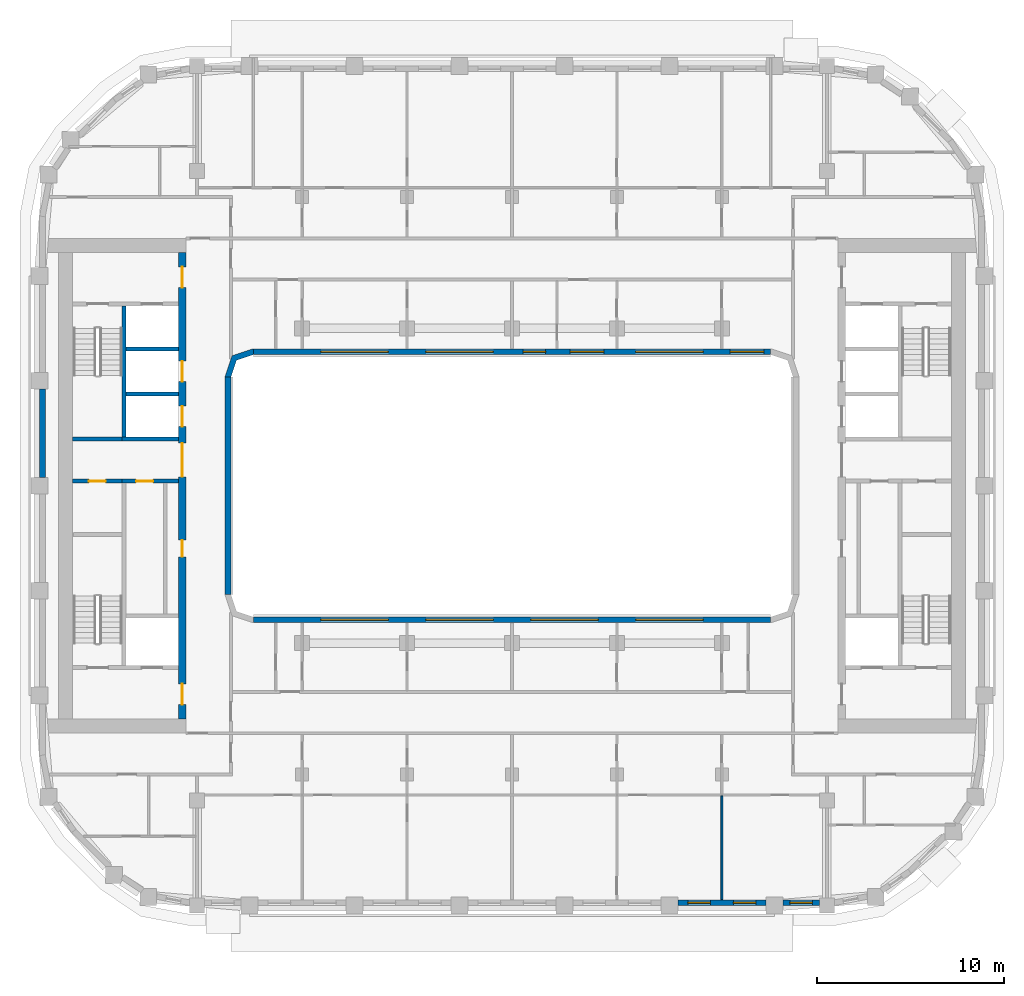
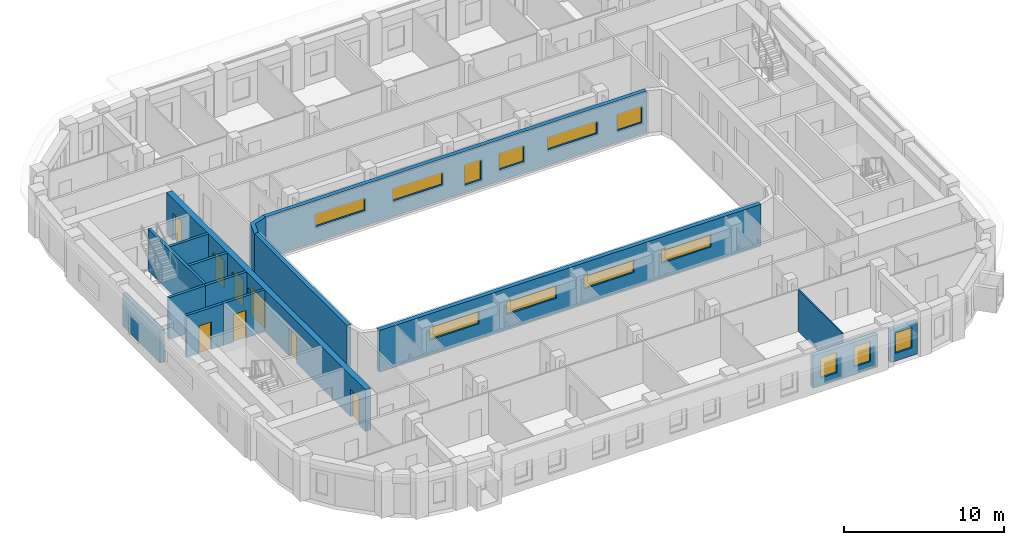
# One storey, part 4 of 21: 16 walls, 13 windows, 8 doors, 21 openings.
"""IFC4 building model written with IfcOpenShell, lengths in metres."""

from ifc_helpers import new_model, si_unit, direction, frame, frame_2d, origin, place, context, subcontext, project, spatial, polyline, rectangle, outline, extrude, material, layer, layer_set, type_object, element, fill, save


model = new_model("IFC4")

# Units and contexts
model_context = context("Model", 3, precision=1e-05, world=origin(), true_north=direction((0.0, 1.0)))
body_context = subcontext(model_context, "Body", "Model", "MODEL_VIEW")
ifc_project = project(units=[si_unit("LENGTHUNIT", "METRE"), si_unit("AREAUNIT", "SQUARE_METRE"), si_unit("VOLUMEUNIT", "CUBIC_METRE"), si_unit("PLANEANGLEUNIT", "RADIAN"), si_unit("MASSUNIT", "GRAM", prefix="KILO")], contexts=[model_context])

# Site, building, storey
site_placement = place(None, origin())
site = spatial("IfcSite", under=ifc_project, at=site_placement, CompositionType="ELEMENT")
building_placement = place(site_placement, origin())
building = spatial("IfcBuilding", under=site, at=building_placement, Name="Kiln Ring Residences", CompositionType="ELEMENT")
storey_placement = place(building_placement, frame((0.0, 0.0, 202.89990234375)))
storey = spatial("IfcBuildingStorey", under=building, at=storey_placement, Name="L52", CompositionType="ELEMENT", Elevation=202.89990234375)

# Wall, opening, door
ifc_material_1 = material(Name="Gypsum board on steel studs", Category="steel")
ifc_layer_1 = layer(ifc_material_1, 0.199951171875)
ifc_layer_set_1 = layer_set([ifc_layer_1], Name="CORE-PARTITION-200")
wall_type_1 = type_object("IfcWallType", Name="CORE-PARTITION-200", PredefinedType="PARTITIONING", material=ifc_layer_set_1)
wall_1_placement = place(storey_placement, frame((-20.800048828125, 0.25, 0.0), z_axis=(0.0, 0.0, 1.0), x_axis=(-1.0, 0.0, 0.0)))
wall_1 = element("IfcWall", 1, at=wall_1_placement, inside=storey, type_object=wall_type_1, Name="Core partition west L52 1", PredefinedType="PARTITIONING", context=body_context, shape_type="SweptSolid", body=[
    extrude(rectangle(XDim=2.64990234375, YDim=0.199951171875, at=frame_2d((1.324951171875, 0.0))), origin(), (0.0, 0.0, 1.0), 3.2001953125),
])
opening_1_placement = place(wall_1_placement, frame((0.875, 0.0, 0.0)))
opening_1 = element("IfcOpeningElement", 2, at=opening_1_placement, cuts=wall_1, Name="Opening L52-CW12", PredefinedType="OPENING", context=body_context, shape_type="SweptSolid", body=[
    extrude(rectangle(XDim=0.89990234375, YDim=2.10009765625, at=frame_2d((0.449951171875, 1.050048828125))), frame((0.0, 0.10986328125, 0.0), z_axis=(0.0, -1.0, 0.0), x_axis=(1.0, 0.0, 0.0)), (0.0, 0.0, 1.0), 0.219970703125),
])
ifc_material_2 = material(Name="Steel door leaf", Category="steel")
door_type_1 = type_object("IfcDoorType", Name="CORE-DOOR-ROOM", OperationType="SINGLE_SWING_LEFT", PredefinedType="DOOR", material=ifc_material_2)
door_1_placement = place(opening_1_placement, origin())
door_1 = element("IfcDoor", 3, at=door_1_placement, inside=storey, type_object=door_type_1, Name="Comms room L52-CW12", OperationType="SINGLE_SWING_RIGHT", OverallHeight=2.10009765625, OverallWidth=0.89990234375, PredefinedType="DOOR", context=body_context, shape_type="SweptSolid", body=[
    extrude(rectangle(XDim=0.89990234375, YDim=2.10009765625, at=frame_2d((0.449951171875, 1.050048828125))), frame((0.0, 0.02490234375, 0.0), z_axis=(0.0, -1.0, 0.0), x_axis=(1.0, 0.0, 0.0)), (0.0, 0.0, 1.0), 0.050048828125),
])
fill(opening_1, door_1)

ifc_material_3 = material(Name="Gypsum shaft wall system")
ifc_layer_2 = layer(ifc_material_3, 0.199951171875)
ifc_layer_set_2 = layer_set([ifc_layer_2], Name="CORE-SHAFT-WALL-200")
wall_type_2 = type_object("IfcWallType", Name="CORE-SHAFT-WALL-200", PredefinedType="PARTITIONING", material=ifc_layer_set_2)
wall_2_placement = place(storey_placement, frame((-17.800048828125, 0.25, 0.0), z_axis=(0.0, 0.0, 1.0), x_axis=(-1.0, 0.0, 0.0)))
wall_2 = element("IfcWall", 4, at=wall_2_placement, inside=storey, type_object=wall_type_2, Name="Core partition west L52 4", PredefinedType="PARTITIONING", context=body_context, shape_type="SweptSolid", body=[
    extrude(rectangle(XDim=3.0, YDim=0.199951171875, at=frame_2d((1.5, 0.0))), origin(), (0.0, 0.0, 1.0), 3.2001953125),
])
opening_2_placement = place(wall_2_placement, frame((1.35009765625, 0.0, 0.0)))
opening_2 = element("IfcOpeningElement", 5, at=opening_2_placement, cuts=wall_2, Name="Opening L52-CW03", PredefinedType="OPENING", context=body_context, shape_type="SweptSolid", body=[
    extrude(rectangle(XDim=0.89990234375, YDim=2.10009765625, at=frame_2d((0.449951171875, 1.050048828125))), frame((0.0, 0.10986328125, 0.0), z_axis=(0.0, -1.0, 0.0), x_axis=(1.0, 0.0, 0.0)), (0.0, 0.0, 1.0), 0.219970703125),
])
door_2_placement = place(opening_2_placement, origin())
door_2 = element("IfcDoor", 6, at=door_2_placement, inside=storey, type_object=door_type_1, Name="Service store L52-CW03", OperationType="SINGLE_SWING_LEFT", OverallHeight=2.10009765625, OverallWidth=0.89990234375, PredefinedType="DOOR", context=body_context, shape_type="SweptSolid", body=[
    extrude(rectangle(XDim=0.89990234375, YDim=2.10009765625, at=frame_2d((0.449951171875, 1.050048828125))), frame((0.0, 0.02490234375, 0.0), z_axis=(0.0, -1.0, 0.0), x_axis=(1.0, 0.0, 0.0)), (0.0, 0.0, 1.0), 0.050048828125),
])
fill(opening_2, door_2)

# Walls
wall_3_placement = place(storey_placement, frame((-17.800048828125, 2.5, 0.0), z_axis=(0.0, 0.0, 1.0), x_axis=(-1.0, 0.0, 0.0)))
element("IfcWall", 7, at=wall_3_placement, inside=storey, type_object=wall_type_2, Name="Core partition west L52 5", PredefinedType="PARTITIONING", context=body_context, shape_type="SweptSolid", body=[
    extrude(rectangle(XDim=3.0, YDim=0.199951171875, at=frame_2d((1.5, 0.0))), origin(), (0.0, 0.0, 1.0), 3.2001953125),
])
for number, where, z_axis, x_axis, name in (
    (8, (-17.800048828125, 4.89990234375, 0.0), (0.0, 0.0, 1.0), (-1.0, 0.0, 0.0), "Core partition west L52 6"),
    (9, (-17.800048828125, 7.300048828125, 0.0), (0.0, 0.0, 1.0), (-1.0, 0.0, 0.0), "Core partition west L52 7"),
):
    element("IfcWall", number, at=place(storey_placement, frame(where, z_axis=z_axis, x_axis=x_axis)), inside=storey, type_object=wall_type_2, Name=name, PredefinedType="PARTITIONING", context=body_context, shape_type="SweptSolid", body=[
        extrude(rectangle(XDim=2.800048828125, YDim=0.199951171875, at=frame_2d((1.39990234375, 0.0))), origin(), (0.0, 0.0, 1.0), 3.2001953125),
    ])
ifc_material_4 = material(Name="Concrete C40/50", Category="concrete")
ifc_layer_3 = layer(ifc_material_4, 0.199951171875)
ifc_layer_set_3 = layer_set([ifc_layer_3], Name="CORE-WALL-RC200")
wall_type_3 = type_object("IfcWallType", Name="CORE-WALL-RC200", PredefinedType="SHEAR", material=ifc_layer_set_3)
wall_4_placement = place(storey_placement, frame((-20.699951171875, 2.60009765625, 0.0), z_axis=(0.0, 0.0, 1.0), x_axis=(0.0, 1.0, 0.0)))
element("IfcWall", 10, at=wall_4_placement, inside=storey, type_object=wall_type_3, Name="Core wall west L52 1", PredefinedType="SHEAR", context=body_context, shape_type="SweptSolid", body=[
    extrude(rectangle(XDim=7.0, YDim=0.199951171875, at=frame_2d((3.5, 0.0))), origin(), (0.0, 0.0, 1.0), 3.2001953125),
])
wall_5_placement = place(storey_placement, frame((-20.800048828125, 2.5, 0.0), z_axis=(0.0, 0.0, 1.0), x_axis=(-1.0, 0.0, 0.0)))
element("IfcWall", 11, at=wall_5_placement, inside=storey, type_object=wall_type_3, Name="Core wall west L52 3", PredefinedType="SHEAR", context=body_context, shape_type="SweptSolid", body=[
    extrude(rectangle(XDim=2.64990234375, YDim=0.199951171875, at=frame_2d((1.324951171875, 0.0))), origin(), (0.0, 0.0, 1.0), 3.2001953125),
])

# Wall, openings, doors
ifc_material_5 = material(Name="Concrete C60/75", Category="concrete")
ifc_layer_4 = layer(ifc_material_5, 0.39990234375)
ifc_layer_set_4 = layer_set([ifc_layer_4], Name="CORE-WALL-RC400")
wall_type_4 = type_object("IfcWallType", Name="CORE-WALL-RC400", PredefinedType="SHEAR", material=ifc_layer_set_4)
wall_6_placement = place(storey_placement, frame((-17.60009765625, -12.449951171875, 0.0), z_axis=(0.0, 0.0, 1.0), x_axis=(0.0, 1.0, 0.0)))
wall_6 = element("IfcWall", 12, at=wall_6_placement, inside=storey, type_object=wall_type_4, Name="Core wall west L52 6", PredefinedType="SHEAR", context=body_context, shape_type="SweptSolid", body=[
    extrude(rectangle(XDim=24.89990234375, YDim=0.39990234375, at=frame_2d((12.449951171875, 0.0))), origin(), (0.0, 0.0, 1.0), 3.2001953125),
])
opening_3_placement = place(wall_6_placement, frame((8.64990234375, 0.0, 0.0)))
opening_3 = element("IfcOpeningElement", 13, at=opening_3_placement, cuts=wall_6, Name="Opening L52-CW02", PredefinedType="OPENING", context=body_context, shape_type="SweptSolid", body=[
    extrude(rectangle(XDim=0.89990234375, YDim=2.10009765625, at=frame_2d((0.449951171875, 1.050048828125))), frame((0.0, 0.2099609375, 0.0), z_axis=(0.0, -1.0, 0.0), x_axis=(1.0, 0.0, 0.0)), (0.0, 0.0, 1.0), 0.419921875),
])
opening_4_placement = place(wall_6_placement, frame((15.60009765625, 0.0, 0.0)))
opening_4 = element("IfcOpeningElement", 14, at=opening_4_placement, cuts=wall_6, Name="Opening L52-CW04", PredefinedType="OPENING", context=body_context, shape_type="SweptSolid", body=[
    extrude(rectangle(XDim=1.10009765625, YDim=2.10009765625, at=frame_2d((0.550048828125, 1.050048828125))), frame((0.0, 0.2099609375, 0.0), z_axis=(0.0, -1.0, 0.0), x_axis=(1.0, 0.0, 0.0)), (0.0, 0.0, 1.0), 0.419921875),
])
opening_5_placement = place(wall_6_placement, frame((18.0, 0.0, 0.0)))
opening_5 = element("IfcOpeningElement", 15, at=opening_5_placement, cuts=wall_6, Name="Opening L52-CW05", PredefinedType="OPENING", context=body_context, shape_type="SweptSolid", body=[
    extrude(rectangle(XDim=1.10009765625, YDim=2.10009765625, at=frame_2d((0.550048828125, 1.050048828125))), frame((0.0, 0.2099609375, 0.0), z_axis=(0.0, -1.0, 0.0), x_axis=(1.0, 0.0, 0.0)), (0.0, 0.0, 1.0), 0.419921875),
])
opening_6_placement = place(wall_6_placement, frame((23.02490234375, 0.0, 0.0)))
opening_6 = element("IfcOpeningElement", 16, at=opening_6_placement, cuts=wall_6, Name="Opening L52-CW07", PredefinedType="OPENING", context=body_context, shape_type="SweptSolid", body=[
    extrude(rectangle(XDim=1.10009765625, YDim=2.10009765625, at=frame_2d((0.550048828125, 1.050048828125))), frame((0.0, 0.2099609375, 0.0), z_axis=(0.0, -1.0, 0.0), x_axis=(1.0, 0.0, 0.0)), (0.0, 0.0, 1.0), 0.419921875),
])
opening_7_placement = place(wall_6_placement, frame((0.77490234375, 0.0, 0.0)))
opening_7 = element("IfcOpeningElement", 17, at=opening_7_placement, cuts=wall_6, Name="Opening L52-CW08", PredefinedType="OPENING", context=body_context, shape_type="SweptSolid", body=[
    extrude(rectangle(XDim=1.10009765625, YDim=2.10009765625, at=frame_2d((0.550048828125, 1.050048828125))), frame((0.0, 0.2099609375, 0.0), z_axis=(0.0, -1.0, 0.0), x_axis=(1.0, 0.0, 0.0)), (0.0, 0.0, 1.0), 0.419921875),
])
opening_8_placement = place(wall_6_placement, frame((12.925048828125, 0.0, 0.0)))
opening_8 = element("IfcOpeningElement", 18, at=opening_8_placement, cuts=wall_6, Name="Opening L52-CW11", PredefinedType="OPENING", context=body_context, shape_type="SweptSolid", body=[
    extrude(rectangle(XDim=1.800048828125, YDim=2.10009765625, at=frame_2d((0.89990234375, 1.050048828125))), frame((0.0, 0.2099609375, 0.0), z_axis=(0.0, -1.0, 0.0), x_axis=(1.0, 0.0, 0.0)), (0.0, 0.0, 1.0), 0.419921875),
])
ifc_material_6 = material(Name="Steel door leaf", Category="steel")
door_type_2 = type_object("IfcDoorType", Name="CORE-DOOR-LD", OperationType="DOUBLE_DOOR_SLIDING", PredefinedType="DOOR", material=ifc_material_6)
door_3_placement = place(opening_4_placement, origin())
door_3 = element("IfcDoor", 19, at=door_3_placement, inside=storey, type_object=door_type_2, Name="LD W-M1 L52-CW04", OperationType="DOUBLE_DOOR_SLIDING", OverallHeight=2.10009765625, OverallWidth=1.10009765625, PredefinedType="DOOR", context=body_context, shape_type="SweptSolid", body=[
    extrude(rectangle(XDim=1.10009765625, YDim=2.10009765625, at=frame_2d((0.550048828125, 1.050048828125))), frame((0.0, 0.02490234375, 0.0), z_axis=(0.0, -1.0, 0.0), x_axis=(1.0, 0.0, 0.0)), (0.0, 0.0, 1.0), 0.050048828125),
])
fill(opening_4, door_3)
door_4_placement = place(opening_5_placement, origin())
door_4 = element("IfcDoor", 20, at=door_4_placement, inside=storey, type_object=door_type_2, Name="LD W-M2 L52-CW05", OperationType="DOUBLE_DOOR_SLIDING", OverallHeight=2.10009765625, OverallWidth=1.10009765625, PredefinedType="DOOR", context=body_context, shape_type="SweptSolid", body=[
    extrude(rectangle(XDim=1.10009765625, YDim=2.10009765625, at=frame_2d((0.550048828125, 1.050048828125))), frame((0.0, 0.02490234375, 0.0), z_axis=(0.0, -1.0, 0.0), x_axis=(1.0, 0.0, 0.0)), (0.0, 0.0, 1.0), 0.050048828125),
])
fill(opening_5, door_4)
ifc_material_7 = material(Name="Steel door leaf", Category="steel")
door_type_3 = type_object("IfcDoorType", Name="CORE-DOOR-LOBBY", OperationType="SINGLE_SWING_LEFT", PredefinedType="DOOR", material=ifc_material_7)
door_5_placement = place(opening_6_placement, origin())
door_5 = element("IfcDoor", 21, at=door_5_placement, inside=storey, type_object=door_type_3, Name="FFL L52-CW07", OperationType="SINGLE_SWING_RIGHT", OverallHeight=2.10009765625, OverallWidth=1.10009765625, PredefinedType="DOOR", context=body_context, shape_type="SweptSolid", body=[
    extrude(rectangle(XDim=1.10009765625, YDim=2.10009765625, at=frame_2d((0.550048828125, 1.050048828125))), frame((0.0, 0.02490234375, 0.0), z_axis=(0.0, -1.0, 0.0), x_axis=(1.0, 0.0, 0.0)), (0.0, 0.0, 1.0), 0.050048828125),
])
fill(opening_6, door_5)
door_6_placement = place(opening_7_placement, origin())
door_6 = element("IfcDoor", 22, at=door_6_placement, inside=storey, type_object=door_type_3, Name="SVL L52-CW08", OperationType="SINGLE_SWING_LEFT", OverallHeight=2.10009765625, OverallWidth=1.10009765625, PredefinedType="DOOR", context=body_context, shape_type="SweptSolid", body=[
    extrude(rectangle(XDim=1.10009765625, YDim=2.10009765625, at=frame_2d((0.550048828125, 1.050048828125))), frame((0.0, 0.02490234375, 0.0), z_axis=(0.0, -1.0, 0.0), x_axis=(1.0, 0.0, 0.0)), (0.0, 0.0, 1.0), 0.050048828125),
])
fill(opening_7, door_6)
ifc_material_8 = material(Name="Steel door leaf", Category="steel")
door_type_4 = type_object("IfcDoorType", Name="CORE-DOOR-PASS", OperationType="DOUBLE_DOOR_SINGLE_SWING", PredefinedType="DOOR", material=ifc_material_8)
door_7_placement = place(opening_8_placement, origin())
door_7 = element("IfcDoor", 23, at=door_7_placement, inside=storey, type_object=door_type_4, Name="Core passage L52-CW11", OperationType="DOUBLE_DOOR_SINGLE_SWING", OverallHeight=2.10009765625, OverallWidth=1.800048828125, PredefinedType="DOOR", context=body_context, shape_type="SweptSolid", body=[
    extrude(rectangle(XDim=1.800048828125, YDim=2.10009765625, at=frame_2d((0.89990234375, 1.050048828125))), frame((0.0, 0.02490234375, 0.0), z_axis=(0.0, -1.0, 0.0), x_axis=(1.0, 0.0, 0.0)), (0.0, 0.0, 1.0), 0.050048828125),
])
fill(opening_8, door_7)
door_8_placement = place(opening_3_placement, origin())
door_8 = element("IfcDoor", 24, at=door_8_placement, inside=storey, type_object=door_type_1, Name="Locker store L52-CW02", OperationType="SINGLE_SWING_RIGHT", OverallHeight=2.10009765625, OverallWidth=0.89990234375, PredefinedType="DOOR", context=body_context, shape_type="SweptSolid", body=[
    extrude(rectangle(XDim=0.89990234375, YDim=2.10009765625, at=frame_2d((0.449951171875, 1.050048828125))), frame((0.0, 0.02490234375, 0.0), z_axis=(0.0, -1.0, 0.0), x_axis=(1.0, 0.0, 0.0)), (0.0, 0.0, 1.0), 0.050048828125),
])
fill(opening_3, door_8)

# Wall, openings, windows
ifc_material_9 = material(Name="Brick masonry, dark clay brick", Category="masonry")
ifc_layer_5 = layer(ifc_material_9, 0.300048828125)
ifc_layer_set_5 = layer_set([ifc_layer_5], Name="EW-300 BRICK WALL")
wall_type_5 = type_object("IfcWallType", Name="EW-300 BRICK WALL", PredefinedType="SOLIDWALL", material=ifc_layer_set_5)
wall_7_placement = place(storey_placement, frame((8.85009765625, -22.25, 0.0), z_axis=(0.0, 0.0, 1.0), x_axis=(1.0, 0.0, 0.0)))
wall_7 = element("IfcWall", 25, at=wall_7_placement, inside=storey, type_object=wall_type_5, Name="Facade wall L52 9", PredefinedType="SOLIDWALL", context=body_context, shape_type="SweptSolid", body=[
    extrude(rectangle(XDim=4.699951171875, YDim=0.300048828125, at=frame_2d((2.35009765625, 0.0))), origin(), (0.0, 0.0, 1.0), 2.5),
])
opening_9_placement = place(wall_7_placement, frame((0.53759765625, 0.0, 0.60009765625)))
opening_9 = element("IfcOpeningElement", 26, at=opening_9_placement, cuts=wall_7, Name="Opening W1", PredefinedType="OPENING", context=body_context, shape_type="SweptSolid", body=[
    extrude(rectangle(XDim=1.199951171875, YDim=1.550048828125, at=frame_2d((0.60009765625, 0.77490234375))), frame((0.0, 0.159912109375, 0.0), z_axis=(0.0, -1.0, 0.0), x_axis=(1.0, 0.0, 0.0)), (0.0, 0.0, 1.0), 0.320068359375),
])
opening_10_placement = place(wall_7_placement, frame((2.96240234375, 0.0, 0.60009765625)))
opening_10 = element("IfcOpeningElement", 27, at=opening_10_placement, cuts=wall_7, Name="Opening W1", PredefinedType="OPENING", context=body_context, shape_type="SweptSolid", body=[
    extrude(rectangle(XDim=1.199951171875, YDim=1.550048828125, at=frame_2d((0.60009765625, 0.77490234375))), frame((0.0, 0.159912109375, 0.0), z_axis=(0.0, -1.0, 0.0), x_axis=(1.0, 0.0, 0.0)), (0.0, 0.0, 1.0), 0.320068359375),
])
ifc_material_10 = material(Name="Aluminium frame with double glazing", Category="aluminium")
window_type_1 = type_object("IfcWindowType", Name="WINDOW 1200 x 1550", PartitioningType="SINGLE_PANEL", PredefinedType="WINDOW", material=ifc_material_10)
window_1_placement = place(opening_9_placement, origin())
window_1 = element("IfcWindow", 28, at=window_1_placement, inside=storey, type_object=window_type_1, Name="Window L52 11", OverallHeight=1.550048828125, OverallWidth=1.199951171875, PartitioningType="SINGLE_PANEL", PredefinedType="WINDOW", context=body_context, shape_type="SweptSolid", body=[
    extrude(rectangle(XDim=1.199951171875, YDim=1.550048828125, at=frame_2d((0.60009765625, 0.77490234375))), frame((0.0, 0.030029296875, 0.0), z_axis=(0.0, -1.0, 0.0), x_axis=(1.0, 0.0, 0.0)), (0.0, 0.0, 1.0), 0.06005859375),
])
fill(opening_9, window_1)
window_2_placement = place(opening_10_placement, origin())
window_2 = element("IfcWindow", 29, at=window_2_placement, inside=storey, type_object=window_type_1, Name="Window L52 12", OverallHeight=1.550048828125, OverallWidth=1.199951171875, PartitioningType="SINGLE_PANEL", PredefinedType="WINDOW", context=body_context, shape_type="SweptSolid", body=[
    extrude(rectangle(XDim=1.199951171875, YDim=1.550048828125, at=frame_2d((0.60009765625, 0.77490234375))), frame((0.0, 0.030029296875, 0.0), z_axis=(0.0, -1.0, 0.0), x_axis=(1.0, 0.0, 0.0)), (0.0, 0.0, 1.0), 0.06005859375),
])
fill(opening_10, window_2)

# Wall, opening, window
wall_8_placement = place(storey_placement, frame((14.449951171875, -22.25, 0.0), z_axis=(0.0, 0.0, 1.0), x_axis=(1.0, 0.0, 0.0)))
wall_8 = element("IfcWall", 30, at=wall_8_placement, inside=storey, type_object=wall_type_5, Name="Facade wall L52 10", PredefinedType="SOLIDWALL", context=body_context, shape_type="SweptSolid", body=[
    extrude(rectangle(XDim=1.949951171875, YDim=0.300048828125, at=frame_2d((0.97509765625, 0.0))), origin(), (0.0, 0.0, 1.0), 2.5),
])
opening_11_placement = place(wall_8_placement, frame((0.375, 0.0, 0.60009765625)))
opening_11 = element("IfcOpeningElement", 31, at=opening_11_placement, cuts=wall_8, Name="Opening W1", PredefinedType="OPENING", context=body_context, shape_type="SweptSolid", body=[
    extrude(rectangle(XDim=1.199951171875, YDim=1.550048828125, at=frame_2d((0.60009765625, 0.77490234375))), frame((0.0, 0.159912109375, 0.0), z_axis=(0.0, -1.0, 0.0), x_axis=(1.0, 0.0, 0.0)), (0.0, 0.0, 1.0), 0.320068359375),
])
window_3_placement = place(opening_11_placement, origin())
window_3 = element("IfcWindow", 32, at=window_3_placement, inside=storey, type_object=window_type_1, Name="Window L52 13", OverallHeight=1.550048828125, OverallWidth=1.199951171875, PartitioningType="SINGLE_PANEL", PredefinedType="WINDOW", context=body_context, shape_type="SweptSolid", body=[
    extrude(rectangle(XDim=1.199951171875, YDim=1.550048828125, at=frame_2d((0.60009765625, 0.77490234375))), frame((0.0, 0.030029296875, 0.0), z_axis=(0.0, -1.0, 0.0), x_axis=(1.0, 0.0, 0.0)), (0.0, 0.0, 1.0), 0.06005859375),
])
fill(opening_11, window_3)

# Walls
wall_9_placement = place(storey_placement, frame((-25.050048828125, 5.14990234375, 0.0), z_axis=(0.0, 0.0, 1.0), x_axis=(0.0, -1.0, 0.0)))
element("IfcWall", 33, at=wall_9_placement, inside=storey, type_object=wall_type_5, Name="Facade wall L52 41", PredefinedType="SOLIDWALL", context=body_context, shape_type="SweptSolid", body=[
    extrude(rectangle(XDim=4.699951171875, YDim=0.300048828125, at=frame_2d((2.35009765625, 0.0))), origin(), (0.0, 0.0, 1.0), 2.5),
])
wall_10_placement = place(storey_placement, frame((-15.14990234375, -5.800048828125, 0.0), z_axis=(0.0, 0.0, 1.0), x_axis=(0.0, 1.0, 0.0)))
element("IfcWall", 34, at=wall_10_placement, inside=storey, type_object=wall_type_5, Name="Facade wall L52 47", PredefinedType="SOLIDWALL", context=body_context, shape_type="SweptSolid", body=[
    extrude(rectangle(XDim=11.60009765625, YDim=0.300048828125, at=frame_2d((5.800048828125, 0.0))), origin(), (0.0, 0.0, 1.0), 3.2001953125),
])

# Wall, openings, windows
wall_11_placement = place(storey_placement, frame((-13.800048828125, 7.14990234375, 0.0), z_axis=(0.0, 0.0, 1.0), x_axis=(1.0, 0.0, 0.0)))
wall_11 = element("IfcWall", 35, at=wall_11_placement, inside=storey, type_object=wall_type_5, Name="Facade wall L52 48", PredefinedType="SOLIDWALL", context=body_context, shape_type="SweptSolid", body=[
    extrude(rectangle(XDim=27.60009765625, YDim=0.300048828125, at=frame_2d((13.800048828125, 0.0))), origin(), (0.0, 0.0, 1.0), 3.2001953125),
])
opening_12_placement = place(wall_11_placement, frame((3.60009765625, 0.0, 1.199951171875)))
opening_12 = element("IfcOpeningElement", 36, at=opening_12_placement, cuts=wall_11, Name="Opening W4", PredefinedType="OPENING", context=body_context, shape_type="SweptSolid", body=[
    extrude(rectangle(XDim=3.60009765625, YDim=0.949951171875, at=frame_2d((1.800048828125, 0.47509765625))), frame((0.0, 0.159912109375, 0.0), z_axis=(0.0, -1.0, 0.0), x_axis=(1.0, 0.0, 0.0)), (0.0, 0.0, 1.0), 0.320068359375),
])
opening_13_placement = place(wall_11_placement, frame((9.199951171875, 0.0, 1.199951171875)))
opening_13 = element("IfcOpeningElement", 37, at=opening_13_placement, cuts=wall_11, Name="Opening W4", PredefinedType="OPENING", context=body_context, shape_type="SweptSolid", body=[
    extrude(rectangle(XDim=3.60009765625, YDim=0.949951171875, at=frame_2d((1.800048828125, 0.47509765625))), frame((0.0, 0.159912109375, 0.0), z_axis=(0.0, -1.0, 0.0), x_axis=(1.0, 0.0, 0.0)), (0.0, 0.0, 1.0), 0.320068359375),
])
opening_14_placement = place(wall_11_placement, frame((14.39990234375, 0.0, 0.60009765625)))
opening_14 = element("IfcOpeningElement", 38, at=opening_14_placement, cuts=wall_11, Name="Opening W1", PredefinedType="OPENING", context=body_context, shape_type="SweptSolid", body=[
    extrude(rectangle(XDim=1.199951171875, YDim=1.550048828125, at=frame_2d((0.60009765625, 0.77490234375))), frame((0.0, 0.159912109375, 0.0), z_axis=(0.0, -1.0, 0.0), x_axis=(1.0, 0.0, 0.0)), (0.0, 0.0, 1.0), 0.320068359375),
])
opening_15_placement = place(wall_11_placement, frame((16.89990234375, 0.0, 0.89990234375)))
opening_15 = element("IfcOpeningElement", 39, at=opening_15_placement, cuts=wall_11, Name="Opening W2", PredefinedType="OPENING", context=body_context, shape_type="SweptSolid", body=[
    extrude(rectangle(XDim=1.800048828125, YDim=1.25, at=frame_2d((0.89990234375, 0.625))), frame((0.0, 0.159912109375, 0.0), z_axis=(0.0, -1.0, 0.0), x_axis=(1.0, 0.0, 0.0)), (0.0, 0.0, 1.0), 0.320068359375),
])
opening_16_placement = place(wall_11_placement, frame((20.39990234375, 0.0, 1.199951171875)))
opening_16 = element("IfcOpeningElement", 40, at=opening_16_placement, cuts=wall_11, Name="Opening W4", PredefinedType="OPENING", context=body_context, shape_type="SweptSolid", body=[
    extrude(rectangle(XDim=3.60009765625, YDim=0.949951171875, at=frame_2d((1.800048828125, 0.47509765625))), frame((0.0, 0.159912109375, 0.0), z_axis=(0.0, -1.0, 0.0), x_axis=(1.0, 0.0, 0.0)), (0.0, 0.0, 1.0), 0.320068359375),
])
opening_17_placement = place(wall_11_placement, frame((25.4375, 0.0, 0.89990234375)))
opening_17 = element("IfcOpeningElement", 41, at=opening_17_placement, cuts=wall_11, Name="Opening W2", PredefinedType="OPENING", context=body_context, shape_type="SweptSolid", body=[
    extrude(rectangle(XDim=1.800048828125, YDim=1.25, at=frame_2d((0.89990234375, 0.625))), frame((0.0, 0.159912109375, 0.0), z_axis=(0.0, -1.0, 0.0), x_axis=(1.0, 0.0, 0.0)), (0.0, 0.0, 1.0), 0.320068359375),
])
window_4_placement = place(opening_14_placement, origin())
window_4 = element("IfcWindow", 42, at=window_4_placement, inside=storey, type_object=window_type_1, Name="Window L52 37", OverallHeight=1.550048828125, OverallWidth=1.199951171875, PartitioningType="SINGLE_PANEL", PredefinedType="WINDOW", context=body_context, shape_type="SweptSolid", body=[
    extrude(rectangle(XDim=1.199951171875, YDim=1.550048828125, at=frame_2d((0.60009765625, 0.77490234375))), frame((0.0, 0.030029296875, 0.0), z_axis=(0.0, -1.0, 0.0), x_axis=(1.0, 0.0, 0.0)), (0.0, 0.0, 1.0), 0.06005859375),
])
fill(opening_14, window_4)
ifc_material_11 = material(Name="Aluminium frame with double glazing", Category="aluminium")
window_type_2 = type_object("IfcWindowType", Name="WINDOW 1800 x 1250", PartitioningType="SINGLE_PANEL", PredefinedType="WINDOW", material=ifc_material_11)
window_5_placement = place(opening_15_placement, origin())
window_5 = element("IfcWindow", 43, at=window_5_placement, inside=storey, type_object=window_type_2, Name="Window L52 38", OverallHeight=1.25, OverallWidth=1.800048828125, PartitioningType="SINGLE_PANEL", PredefinedType="WINDOW", context=body_context, shape_type="SweptSolid", body=[
    extrude(rectangle(XDim=1.800048828125, YDim=1.25, at=frame_2d((0.89990234375, 0.625))), frame((0.0, 0.030029296875, 0.0), z_axis=(0.0, -1.0, 0.0), x_axis=(1.0, 0.0, 0.0)), (0.0, 0.0, 1.0), 0.06005859375),
])
fill(opening_15, window_5)
window_6_placement = place(opening_17_placement, origin())
window_6 = element("IfcWindow", 44, at=window_6_placement, inside=storey, type_object=window_type_2, Name="Window L52 40", OverallHeight=1.25, OverallWidth=1.800048828125, PartitioningType="SINGLE_PANEL", PredefinedType="WINDOW", context=body_context, shape_type="SweptSolid", body=[
    extrude(rectangle(XDim=1.800048828125, YDim=1.25, at=frame_2d((0.89990234375, 0.625))), frame((0.0, 0.030029296875, 0.0), z_axis=(0.0, -1.0, 0.0), x_axis=(1.0, 0.0, 0.0)), (0.0, 0.0, 1.0), 0.06005859375),
])
fill(opening_17, window_6)
ifc_material_12 = material(Name="Aluminium frame with double glazing", Category="aluminium")
window_type_3 = type_object("IfcWindowType", Name="WINDOW 3600 x 950", PartitioningType="SINGLE_PANEL", PredefinedType="WINDOW", material=ifc_material_12)
window_7_placement = place(opening_12_placement, origin())
window_7 = element("IfcWindow", 45, at=window_7_placement, inside=storey, type_object=window_type_3, Name="Window L52 35", OverallHeight=0.949951171875, OverallWidth=3.60009765625, PartitioningType="SINGLE_PANEL", PredefinedType="WINDOW", context=body_context, shape_type="SweptSolid", body=[
    extrude(rectangle(XDim=3.60009765625, YDim=0.949951171875, at=frame_2d((1.800048828125, 0.47509765625))), frame((0.0, 0.030029296875, 0.0), z_axis=(0.0, -1.0, 0.0), x_axis=(1.0, 0.0, 0.0)), (0.0, 0.0, 1.0), 0.06005859375),
])
fill(opening_12, window_7)
window_8_placement = place(opening_13_placement, origin())
window_8 = element("IfcWindow", 46, at=window_8_placement, inside=storey, type_object=window_type_3, Name="Window L52 36", OverallHeight=0.949951171875, OverallWidth=3.60009765625, PartitioningType="SINGLE_PANEL", PredefinedType="WINDOW", context=body_context, shape_type="SweptSolid", body=[
    extrude(rectangle(XDim=3.60009765625, YDim=0.949951171875, at=frame_2d((1.800048828125, 0.47509765625))), frame((0.0, 0.030029296875, 0.0), z_axis=(0.0, -1.0, 0.0), x_axis=(1.0, 0.0, 0.0)), (0.0, 0.0, 1.0), 0.06005859375),
])
fill(opening_13, window_8)
window_9_placement = place(opening_16_placement, origin())
window_9 = element("IfcWindow", 47, at=window_9_placement, inside=storey, type_object=window_type_3, Name="Window L52 39", OverallHeight=0.949951171875, OverallWidth=3.60009765625, PartitioningType="SINGLE_PANEL", PredefinedType="WINDOW", context=body_context, shape_type="SweptSolid", body=[
    extrude(rectangle(XDim=3.60009765625, YDim=0.949951171875, at=frame_2d((1.800048828125, 0.47509765625))), frame((0.0, 0.030029296875, 0.0), z_axis=(0.0, -1.0, 0.0), x_axis=(1.0, 0.0, 0.0)), (0.0, 0.0, 1.0), 0.06005859375),
])
fill(opening_16, window_9)

wall_12_placement = place(storey_placement, frame((13.800048828125, -7.14990234375, 0.0), z_axis=(0.0, 0.0, 1.0), x_axis=(-1.0, 0.0, 0.0)))
wall_12 = element("IfcWall", 48, at=wall_12_placement, inside=storey, type_object=wall_type_5, Name="Facade wall L52 50", PredefinedType="SOLIDWALL", context=body_context, shape_type="SweptSolid", body=[
    extrude(rectangle(XDim=27.60009765625, YDim=0.300048828125, at=frame_2d((13.800048828125, 0.0))), origin(), (0.0, 0.0, 1.0), 3.2001953125),
])
opening_18_placement = place(wall_12_placement, frame((3.60009765625, 0.0, 1.199951171875)))
opening_18 = element("IfcOpeningElement", 49, at=opening_18_placement, cuts=wall_12, Name="Opening W4", PredefinedType="OPENING", context=body_context, shape_type="SweptSolid", body=[
    extrude(rectangle(XDim=3.60009765625, YDim=0.949951171875, at=frame_2d((1.800048828125, 0.47509765625))), frame((0.0, 0.159912109375, 0.0), z_axis=(0.0, -1.0, 0.0), x_axis=(1.0, 0.0, 0.0)), (0.0, 0.0, 1.0), 0.320068359375),
])
opening_19_placement = place(wall_12_placement, frame((9.199951171875, 0.0, 1.199951171875)))
opening_19 = element("IfcOpeningElement", 50, at=opening_19_placement, cuts=wall_12, Name="Opening W4", PredefinedType="OPENING", context=body_context, shape_type="SweptSolid", body=[
    extrude(rectangle(XDim=3.60009765625, YDim=0.949951171875, at=frame_2d((1.800048828125, 0.47509765625))), frame((0.0, 0.159912109375, 0.0), z_axis=(0.0, -1.0, 0.0), x_axis=(1.0, 0.0, 0.0)), (0.0, 0.0, 1.0), 0.320068359375),
])
opening_20_placement = place(wall_12_placement, frame((14.800048828125, 0.0, 1.199951171875)))
opening_20 = element("IfcOpeningElement", 51, at=opening_20_placement, cuts=wall_12, Name="Opening W4", PredefinedType="OPENING", context=body_context, shape_type="SweptSolid", body=[
    extrude(rectangle(XDim=3.60009765625, YDim=0.949951171875, at=frame_2d((1.800048828125, 0.47509765625))), frame((0.0, 0.159912109375, 0.0), z_axis=(0.0, -1.0, 0.0), x_axis=(1.0, 0.0, 0.0)), (0.0, 0.0, 1.0), 0.320068359375),
])
opening_21_placement = place(wall_12_placement, frame((20.39990234375, 0.0, 1.199951171875)))
opening_21 = element("IfcOpeningElement", 52, at=opening_21_placement, cuts=wall_12, Name="Opening W4", PredefinedType="OPENING", context=body_context, shape_type="SweptSolid", body=[
    extrude(rectangle(XDim=3.60009765625, YDim=0.949951171875, at=frame_2d((1.800048828125, 0.47509765625))), frame((0.0, 0.159912109375, 0.0), z_axis=(0.0, -1.0, 0.0), x_axis=(1.0, 0.0, 0.0)), (0.0, 0.0, 1.0), 0.320068359375),
])
window_10_placement = place(opening_18_placement, origin())
window_10 = element("IfcWindow", 53, at=window_10_placement, inside=storey, type_object=window_type_3, Name="Window L52 41", OverallHeight=0.949951171875, OverallWidth=3.60009765625, PartitioningType="SINGLE_PANEL", PredefinedType="WINDOW", context=body_context, shape_type="SweptSolid", body=[
    extrude(rectangle(XDim=3.60009765625, YDim=0.949951171875, at=frame_2d((1.800048828125, 0.47509765625))), frame((0.0, 0.030029296875, 0.0), z_axis=(0.0, -1.0, 0.0), x_axis=(1.0, 0.0, 0.0)), (0.0, 0.0, 1.0), 0.06005859375),
])
fill(opening_18, window_10)
window_11_placement = place(opening_19_placement, origin())
window_11 = element("IfcWindow", 54, at=window_11_placement, inside=storey, type_object=window_type_3, Name="Window L52 42", OverallHeight=0.949951171875, OverallWidth=3.60009765625, PartitioningType="SINGLE_PANEL", PredefinedType="WINDOW", context=body_context, shape_type="SweptSolid", body=[
    extrude(rectangle(XDim=3.60009765625, YDim=0.949951171875, at=frame_2d((1.800048828125, 0.47509765625))), frame((0.0, 0.030029296875, 0.0), z_axis=(0.0, -1.0, 0.0), x_axis=(1.0, 0.0, 0.0)), (0.0, 0.0, 1.0), 0.06005859375),
])
fill(opening_19, window_11)
window_12_placement = place(opening_20_placement, origin())
window_12 = element("IfcWindow", 55, at=window_12_placement, inside=storey, type_object=window_type_3, Name="Window L52 43", OverallHeight=0.949951171875, OverallWidth=3.60009765625, PartitioningType="SINGLE_PANEL", PredefinedType="WINDOW", context=body_context, shape_type="SweptSolid", body=[
    extrude(rectangle(XDim=3.60009765625, YDim=0.949951171875, at=frame_2d((1.800048828125, 0.47509765625))), frame((0.0, 0.030029296875, 0.0), z_axis=(0.0, -1.0, 0.0), x_axis=(1.0, 0.0, 0.0)), (0.0, 0.0, 1.0), 0.06005859375),
])
fill(opening_20, window_12)
window_13_placement = place(opening_21_placement, origin())
window_13 = element("IfcWindow", 56, at=window_13_placement, inside=storey, type_object=window_type_3, Name="Window L52 44", OverallHeight=0.949951171875, OverallWidth=3.60009765625, PartitioningType="SINGLE_PANEL", PredefinedType="WINDOW", context=body_context, shape_type="SweptSolid", body=[
    extrude(rectangle(XDim=3.60009765625, YDim=0.949951171875, at=frame_2d((1.800048828125, 0.47509765625))), frame((0.0, 0.030029296875, 0.0), z_axis=(0.0, -1.0, 0.0), x_axis=(1.0, 0.0, 0.0)), (0.0, 0.0, 1.0), 0.06005859375),
])
fill(opening_21, window_13)

# Walls
wall_13_placement = place(storey_placement, origin())
element("IfcWall", 57, at=wall_13_placement, inside=storey, type_object=wall_type_5, Name="Corner wall L52 1", PredefinedType="SOLIDWALL", context=body_context, shape_type="SweptSolid", body=[
    extrude(outline(polyline([(-13.8486328125, 7.300048828125), (-14.937255859375, 6.937255859375), (-15.300048828125, 5.8486328125), (-15.300048828125, 5.800048828125), (-15.0, 5.800048828125), (-14.699951171875, 6.699951171875), (-13.800048828125, 7.0), (-13.800048828125, 7.300048828125), (-13.8486328125, 7.300048828125)])), origin(), (0.0, 0.0, 1.0), 3.2001953125),
])
ifc_material_13 = material(Name="Gypsum board on steel studs", Category="steel")
ifc_layer_6 = layer(ifc_material_13, 0.10009765625)
ifc_layer_set_6 = layer_set([ifc_layer_6], Name="PARTITION-100")
wall_type_6 = type_object("IfcWallType", Name="PARTITION-100", PredefinedType="PARTITIONING", material=ifc_layer_set_6)
wall_14_placement = place(storey_placement, frame((11.199951171875, -22.080078125, 0.0), z_axis=(0.0, 0.0, 1.0), x_axis=(0.0, 1.0, 0.0)))
element("IfcWall", 58, at=wall_14_placement, inside=storey, type_object=wall_type_6, Name="Partition 050", PredefinedType="PARTITIONING", context=body_context, shape_type="SweptSolid", body=[
    extrude(rectangle(XDim=5.530029296875, YDim=0.10009765625, at=frame_2d((2.76513671875, 0.0))), origin(), (0.0, 0.0, 1.0), 3.2001953125),
])

save(model, "model.ifc")
